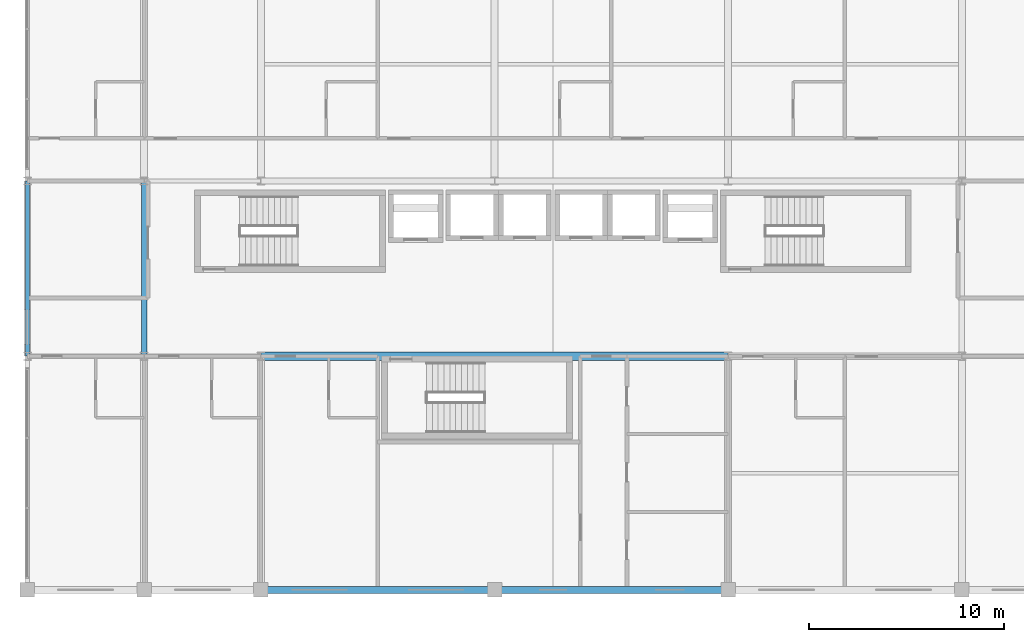
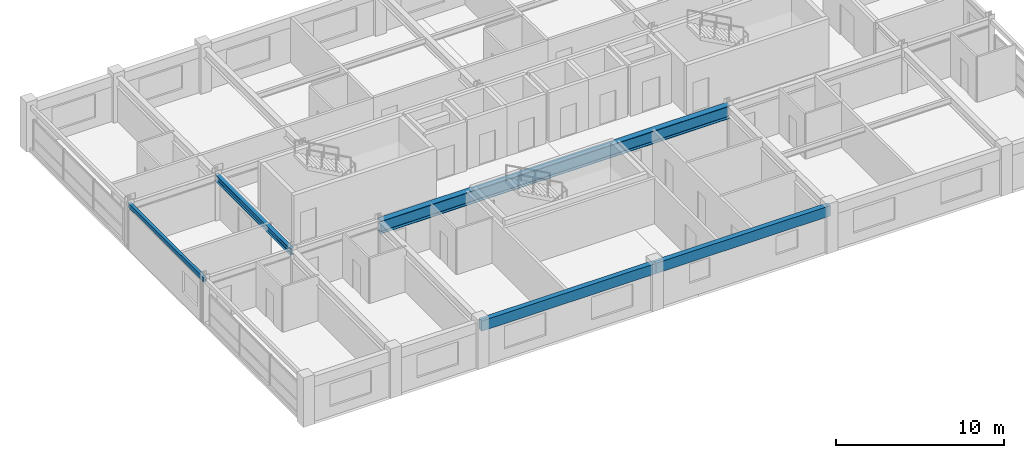
# One storey, part 5 of 20: 5 beams.
"""IFC4 building model written with IfcOpenShell, lengths in metres."""

from ifc_helpers import new_model, si_unit, direction, frame, origin, origin_2d, place, context, subcontext, project, spatial, rectangle, hollow_rectangle, i_section, extrude, material, material_profile, profile_set, type_object, element, save


model = new_model("IFC4")

# Units and contexts
model_context = context("Model", 3, precision=1e-05, world=origin(), true_north=direction((0.0, 1.0)))
body_context = subcontext(model_context, "Body", "Model", "MODEL_VIEW")
ifc_project = project(units=[si_unit("LENGTHUNIT", "METRE"), si_unit("AREAUNIT", "SQUARE_METRE"), si_unit("VOLUMEUNIT", "CUBIC_METRE"), si_unit("PLANEANGLEUNIT", "RADIAN"), si_unit("MASSUNIT", "GRAM", prefix="KILO")], contexts=[model_context])

# Site, building, storey
site_placement = place(None, origin())
site = spatial("IfcSite", under=ifc_project, at=site_placement, CompositionType="ELEMENT")
building_placement = place(site_placement, origin())
building = spatial("IfcBuilding", under=site, at=building_placement, Name="Kaldorvane Square Convention Centre", CompositionType="ELEMENT")
storey_placement = place(building_placement, frame((0.0, 0.0, 52.80000305175781)))
storey = spatial("IfcBuildingStorey", under=building, at=storey_placement, Name="L12", CompositionType="ELEMENT", Elevation=52.80000305175781)

# Beams
ifc_material_1 = material(Name="Steel ASTM A992 Gr. 50", Category="steel")
ifc_material_profile_1 = material_profile(ifc_material_1, i_section(OverallWidth=0.418304443359375, OverallDepth=0.926605224609375, WebThickness=0.0193023681640625, FlangeThickness=0.0319976806640625, FilletRadius=0.0240936279296875, at=origin_2d()), Name="W36X231")
ifc_profile_set_1 = profile_set([ifc_material_profile_1], Name="Steel ASTM A992 Gr. 50")
beam_type_1 = type_object("IfcBeamType", Name="BM-GR-W36X231", PredefinedType="BEAM", material=ifc_profile_set_1)
beam_1_placement = place(storey_placement, frame((42.0, 96.0, 2.82269287109375), z_axis=(1.0, 0.0, 0.0), x_axis=(0.0, 1.0, 0.0)))
element("IfcBeam", 1, at=beam_1_placement, inside=storey, type_object=beam_type_1, Name="Primary Girder (L12)", PredefinedType="BEAM", context=body_context, shape_type="SweptSolid", body=[
    extrude(i_section(OverallWidth=0.418304443359375, OverallDepth=0.926605224609375, WebThickness=0.0193023681640625, FlangeThickness=0.0319976806640625, FilletRadius=0.0240936279296875, at=origin_2d()), origin(), (0.0, 0.0, 1.0), 24.0),
])
ifc_material_profile_2 = material_profile(ifc_material_1, i_section(OverallWidth=0.2799072265625, OverallDepth=0.462799072265625, WebThickness=0.01080322265625, FlangeThickness=0.017303466796875, FilletRadius=0.01019287109375, at=origin_2d()), Name="W18X76")
ifc_profile_set_2 = profile_set([ifc_material_profile_2], Name="Steel ASTM A992 Gr. 50")
beam_type_2 = type_object("IfcBeamType", Name="BM-JS-W18X76", PredefinedType="JOIST", material=ifc_profile_set_2)
beam_2_placement = place(storey_placement, frame((36.0, 96.0, 3.054595947265625), z_axis=(0.0, 1.0, 0.0), x_axis=(-1.0, 0.0, 0.0)))
element("IfcBeam", 2, at=beam_2_placement, inside=storey, type_object=beam_type_2, Name="Transverse Girder (L12)", PredefinedType="JOIST", context=body_context, shape_type="SweptSolid", body=[
    extrude(i_section(OverallWidth=0.2799072265625, OverallDepth=0.462799072265625, WebThickness=0.01080322265625, FlangeThickness=0.017303466796875, FilletRadius=0.01019287109375, at=origin_2d()), origin(), (0.0, 0.0, 1.0), 9.0),
])
ifc_material_2 = material(Name="Steel ASTM A500 Gr. C", Category="steel")
ifc_material_profile_3 = material_profile(ifc_material_2, hollow_rectangle(XDim=0.2032012939453125, YDim=0.3047943115234375, WallThickness=0.0088958740234375, at=origin_2d()), Name="HSS12X8X3/8")
ifc_profile_set_3 = profile_set([ifc_material_profile_3], Name="Steel ASTM A500 Gr. C")
beam_type_3 = type_object("IfcBeamType", Name="BM-SP-HSS12", PredefinedType="SPANDREL", material=ifc_profile_set_3)
beam_3_placement = place(storey_placement, frame((30.0, 96.0, 3.1335906982421875), z_axis=(0.0, 1.0, 0.0), x_axis=(-1.0, 0.0, 0.0)))
element("IfcBeam", 3, at=beam_3_placement, inside=storey, type_object=beam_type_3, Name="End Spandrel (L12)", PredefinedType="SPANDREL", context=body_context, shape_type="SweptSolid", body=[
    extrude(hollow_rectangle(XDim=0.2032012939453125, YDim=0.3047943115234375, WallThickness=0.0088958740234375, at=origin_2d()), origin(), (0.0, 0.0, 1.0), 9.0),
])
ifc_material_3 = material(Name="Concrete f'c = 42 MPa (Normalweight)", Category="concrete")
ifc_material_profile_4 = material_profile(ifc_material_3, rectangle(XDim=0.350006103515625, YDim=0.75, at=origin_2d()), Name="RCSP750X350")
ifc_profile_set_4 = profile_set([ifc_material_profile_4], Name="Concrete f'c = 42 MPa (Normalweight)")
beam_type_4 = type_object("IfcBeamType", Name="BM-SP-RC750", PredefinedType="SPANDREL", material=ifc_profile_set_4)
for number, where, z_axis, x_axis, name in (
    (4, (42.0, 84.0, 2.9109954833984375), (1.0, 0.0, 0.0), (0.0, 1.0, 0.0), "Perimeter Spandrel (L12)"),
    (5, (54.0, 84.0, 2.9109954833984375), (1.0, 0.0, 0.0), (0.0, 1.0, 0.0), "Perimeter Spandrel (L12)"),
):
    element("IfcBeam", number, at=place(storey_placement, frame(where, z_axis=z_axis, x_axis=x_axis)), inside=storey, type_object=beam_type_4, Name=name, PredefinedType="SPANDREL", context=body_context, shape_type="SweptSolid", body=[
        extrude(rectangle(XDim=0.350006103515625, YDim=0.75, at=origin_2d()), origin(), (0.0, 0.0, 1.0), 12.0),
    ])

save(model, "model.ifc")
